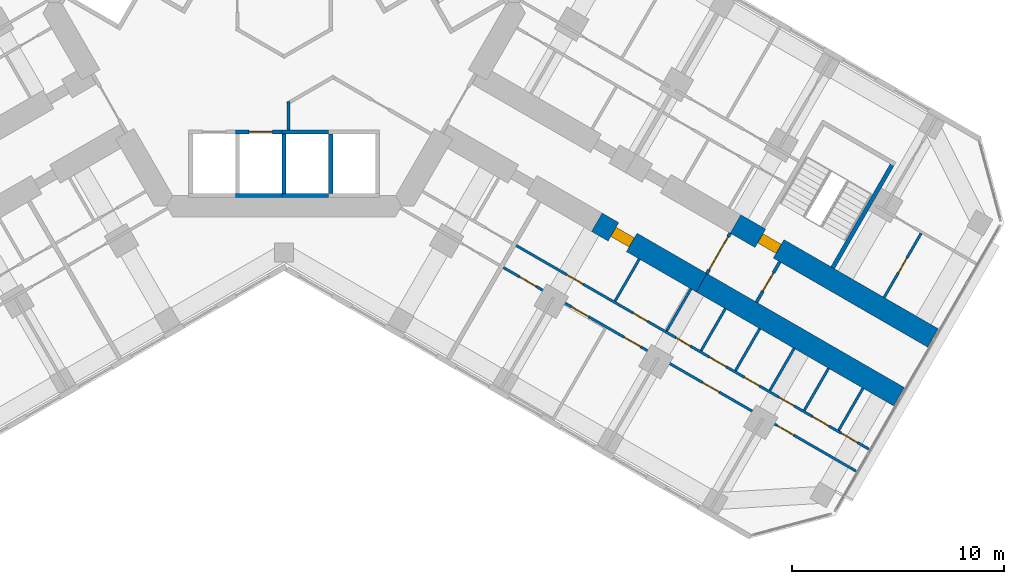
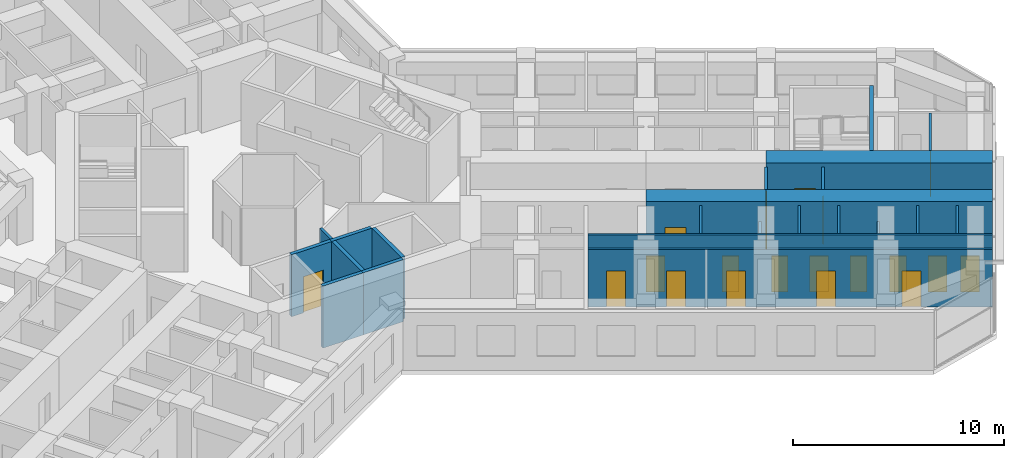
# One storey, part 14 of 21: 23 walls, 19 doors, 19 openings.
"""IFC4 building model written with IfcOpenShell, lengths in metres."""

from ifc_helpers import new_model, si_unit, direction, frame, frame_2d, origin, place, context, subcontext, project, spatial, rectangle, extrude, material, layer, layer_set, type_object, element, fill, save


model = new_model("IFC4")

# Units and contexts
model_context = context("Model", 3, precision=1e-05, world=origin(), true_north=direction((0.0, 1.0)))
body_context = subcontext(model_context, "Body", "Model", "MODEL_VIEW")
ifc_project = project(units=[si_unit("LENGTHUNIT", "METRE"), si_unit("AREAUNIT", "SQUARE_METRE"), si_unit("VOLUMEUNIT", "CUBIC_METRE"), si_unit("PLANEANGLEUNIT", "RADIAN"), si_unit("MASSUNIT", "GRAM", prefix="KILO")], contexts=[model_context])

# Site, building, storey
site_placement = place(None, origin())
site = spatial("IfcSite", under=ifc_project, at=site_placement, CompositionType="ELEMENT")
building_placement = place(site_placement, origin())
building = spatial("IfcBuilding", under=site, at=building_placement, Name="Kosmar Iwan School Tower", CompositionType="ELEMENT")
storey_placement = place(building_placement, frame((0.0, 0.0, 88.0)))
storey = spatial("IfcBuildingStorey", under=building, at=storey_placement, Name="L21", CompositionType="ELEMENT", Elevation=88.0)

# Wall
ifc_material_1 = material(Name="Gypsum board on steel studs, fire-rated", Category="steel")
ifc_layer_1 = layer(ifc_material_1, 0.14990234375)
ifc_layer_set_1 = layer_set([ifc_layer_1], Name="Core room partition 150")
wall_type_1 = type_object("IfcWallType", Name="Core room partition 150", PredefinedType="PARTITIONING", material=ifc_layer_set_1)
wall_1_placement = place(storey_placement, frame((0.199951171875, -6.0048828125, 0.0), z_axis=(0.0, 0.0, 1.0), x_axis=(0.0, 1.0, 0.0)))
element("IfcWall", 1, at=wall_1_placement, inside=storey, type_object=wall_type_1, Name="Core room partition L21-CW12", PredefinedType="PARTITIONING", context=body_context, shape_type="SweptSolid", body=[
    extrude(rectangle(XDim=1.345703125, YDim=0.14990234375, at=frame_2d((0.6728515625, 0.0))), origin(), (0.0, 0.0, 1.0), 3.35009765625),
])

# Wall, opening, door
ifc_material_2 = material(Name="Concrete C50/60", Category="concrete")
ifc_layer_2 = layer(ifc_material_2, 1.0)
ifc_layer_set_2 = layer_set([ifc_layer_2], Name="Corridor buttress wall 1000")
wall_type_2 = type_object("IfcWallType", Name="Corridor buttress wall 1000", PredefinedType="SHEAR", material=ifc_layer_set_2)
wall_2_placement = place(storey_placement, frame((21.281494140625, -10.439453125, 0.0), z_axis=(0.0, 0.0, 1.0), x_axis=(0.866032345022, -0.499987977232, 0.0)))
wall_2 = element("IfcWall", 2, at=wall_2_placement, inside=storey, type_object=wall_type_2, Name="Corridor wall CL bay 3", PredefinedType="SHEAR", context=body_context, shape_type="SweptSolid", body=[
    extrude(rectangle(XDim=10.744873046875, YDim=1.0, at=frame_2d((5.37255859375, 0.0))), origin(), (0.0, 0.0, 1.0), 3.60009765625),
])
opening_1_placement = place(wall_2_placement, frame((1.35009765625, 0.0, 0.0)))
opening_1 = element("IfcOpeningElement", 3, at=opening_1_placement, cuts=wall_2, Name="Opening D6", PredefinedType="OPENING", context=body_context, shape_type="SweptSolid", body=[
    extrude(rectangle(XDim=1.0, YDim=2.10009765625, at=frame_2d((0.5, 1.050048828125))), frame((0.0, 0.511962890625, 0.0), z_axis=(0.0, -1.0, 0.0), x_axis=(1.0, 0.0, 0.0)), (0.0, 0.0, 1.0), 1.02392578125),
])
ifc_material_3 = material(Name="Steel fire door", Category="steel")
door_type_1 = type_object("IfcDoorType", Name="Stair door 1000x2100", OperationType="SINGLE_SWING_LEFT", PredefinedType="DOOR", material=ifc_material_3)
door_1_placement = place(opening_1_placement, origin())
door_1 = element("IfcDoor", 4, at=door_1_placement, inside=storey, type_object=door_type_1, Name="Stair WS3 door L21", OperationType="SINGLE_SWING_LEFT", OverallHeight=2.10009765625, OverallWidth=1.0, PredefinedType="DOOR", context=body_context, shape_type="SweptSolid", body=[
    extrude(rectangle(XDim=1.0, YDim=2.10009765625, at=frame_2d((0.5, 1.050048828125))), frame((0.0, 0.25, 0.0), z_axis=(0.0, -1.0, 0.0), x_axis=(1.0, 0.0, 0.0)), (0.0, 0.0, 1.0), 0.5),
])
fill(opening_1, door_1)

wall_3_placement = place(storey_placement, frame((14.7451171875, -10.360595703125, 0.0), z_axis=(0.0, 0.0, 1.0), x_axis=(0.866015111908, -0.50001782563, 0.0)))
wall_3 = element("IfcWall", 5, at=wall_3_placement, inside=storey, type_object=wall_type_2, Name="Corridor wall CR bay 2", PredefinedType="SHEAR", context=body_context, shape_type="SweptSolid", body=[
    extrude(rectangle(XDim=5.699951171875, YDim=1.0, at=frame_2d((2.85009765625, 0.0))), origin(), (0.0, 0.0, 1.0), 3.60009765625),
])
opening_2_placement = place(wall_3_placement, frame((0.89990234375, 0.0, 0.0)))
opening_2 = element("IfcOpeningElement", 6, at=opening_2_placement, cuts=wall_3, Name="Opening D1", PredefinedType="OPENING", context=body_context, shape_type="SweptSolid", body=[
    extrude(rectangle(XDim=1.0, YDim=2.10009765625, at=frame_2d((0.5, 1.050048828125))), frame((0.0, 0.511962890625, 0.0), z_axis=(0.0, -1.0, 0.0), x_axis=(1.0, 0.0, 0.0)), (0.0, 0.0, 1.0), 1.02392578125),
])
ifc_material_4 = material(Name="Timber fire door in steel frame", Category="steel")
door_type_2 = type_object("IfcDoorType", Name="Flat entrance door 1000x2100", OperationType="SINGLE_SWING_LEFT", PredefinedType="DOOR", material=ifc_material_4)
door_2_placement = place(opening_2_placement, origin())
door_2 = element("IfcDoor", 7, at=door_2_placement, inside=storey, type_object=door_type_2, Name="Flat L21-CR2 entrance door", OperationType="SINGLE_SWING_LEFT", OverallHeight=2.10009765625, OverallWidth=1.0, PredefinedType="DOOR", context=body_context, shape_type="SweptSolid", body=[
    extrude(rectangle(XDim=1.0, YDim=2.10009765625, at=frame_2d((0.5, 1.050048828125))), frame((0.0, 0.25, 0.0), z_axis=(0.0, -1.0, 0.0), x_axis=(1.0, 0.0, 0.0)), (0.0, 0.0, 1.0), 0.5),
])
fill(opening_2, door_2)

# Wall
wall_4_placement = place(storey_placement, frame((19.681396484375, -13.210693359375, 0.0), z_axis=(0.0, 0.0, 1.0), x_axis=(0.866028186671, -0.499995179869, 0.0)))
element("IfcWall", 8, at=wall_4_placement, inside=storey, type_object=wall_type_2, Name="Corridor wall CR bay 3", PredefinedType="SHEAR", context=body_context, shape_type="SweptSolid", body=[
    extrude(rectangle(XDim=10.7451171875, YDim=1.0, at=frame_2d((5.37255859375, 0.0))), origin(), (0.0, 0.0, 1.0), 3.60009765625),
])

# Wall, opening, door
ifc_material_5 = material(Name="Gypsum board on steel studs, fire-rated", Category="steel")
ifc_layer_3 = layer(ifc_material_5, 0.14990234375)
ifc_layer_set_3 = layer_set([ifc_layer_3], Name="Corridor end wall 150")
wall_type_3 = type_object("IfcWallType", Name="Corridor end wall 150", PredefinedType="PARTITIONING", material=ifc_layer_set_3)
wall_5_placement = place(storey_placement, frame((22.269775390625, -14.127685546875, 0.0), z_axis=(0.0, 0.0, 1.0), x_axis=(0.50002983664, 0.866008176907, 0.0)))
wall_5 = element("IfcWall", 9, at=wall_5_placement, inside=storey, type_object=wall_type_3, Name="Partition L21-C-CE", PredefinedType="PARTITIONING", context=body_context, shape_type="SweptSolid", body=[
    extrude(rectangle(XDim=2.199951171875, YDim=0.14990234375, at=frame_2d((1.10009765625, 0.0))), origin(), (0.0, 0.0, 1.0), 3.35009765625),
])
opening_3_placement = place(wall_5_placement, frame((0.60009765625, 0.0, 0.0)))
opening_3 = element("IfcOpeningElement", 10, at=opening_3_placement, cuts=wall_5, Name="Opening D13", PredefinedType="OPENING", context=body_context, shape_type="SweptSolid", body=[
    extrude(rectangle(XDim=1.0, YDim=2.10009765625, at=frame_2d((0.5, 1.050048828125))), frame((0.0, 0.0869140625, 0.0), z_axis=(0.0, -1.0, 0.0), x_axis=(1.0, 0.0, 0.0)), (0.0, 0.0, 1.0), 0.173828125),
])
ifc_material_6 = material(Name="Timber fire door with vision panel", Category="wood")
door_type_3 = type_object("IfcDoorType", Name="Corridor end door 1000x2100", OperationType="SINGLE_SWING_LEFT", PredefinedType="DOOR", material=ifc_material_6)
door_3_placement = place(opening_3_placement, origin())
door_3 = element("IfcDoor", 11, at=door_3_placement, inside=storey, type_object=door_type_3, Name="Hobby workshop door L21-C", OperationType="SINGLE_SWING_LEFT", OverallHeight=2.10009765625, OverallWidth=1.0, PredefinedType="DOOR", context=body_context, shape_type="SweptSolid", body=[
    extrude(rectangle(XDim=1.0, YDim=2.10009765625, at=frame_2d((0.5, 1.050048828125))), frame((0.0, 0.02490234375, 0.0), z_axis=(0.0, -1.0, 0.0), x_axis=(1.0, 0.0, 0.0)), (0.0, 0.0, 1.0), 0.050048828125),
])
fill(opening_3, door_3)

wall_6_placement = place(storey_placement, frame((19.931396484375, -12.777587890625, 0.0), z_axis=(0.0, 0.0, 1.0), x_axis=(0.50002983664, 0.866008176907, 0.0)))
wall_6 = element("IfcWall", 12, at=wall_6_placement, inside=storey, type_object=wall_type_3, Name="Partition L21-C-HW", PredefinedType="PARTITIONING", context=body_context, shape_type="SweptSolid", body=[
    extrude(rectangle(XDim=2.199951171875, YDim=0.14990234375, at=frame_2d((1.10009765625, 0.0))), origin(), (0.0, 0.0, 1.0), 3.35009765625),
])
opening_4_placement = place(wall_6_placement, frame((0.199951171875, 0.0, 0.0)))
opening_4 = element("IfcOpeningElement", 13, at=opening_4_placement, cuts=wall_6, Name="Opening D9", PredefinedType="OPENING", context=body_context, shape_type="SweptSolid", body=[
    extrude(rectangle(XDim=1.800048828125, YDim=2.10009765625, at=frame_2d((0.89990234375, 1.050048828125))), frame((0.0, 0.0869140625, 0.0), z_axis=(0.0, -1.0, 0.0), x_axis=(1.0, 0.0, 0.0)), (0.0, 0.0, 1.0), 0.173828125),
])
ifc_material_7 = material(Name="Steel framed glazed smoke door", Category="steel")
door_type_4 = type_object("IfcDoorType", Name="Corridor smoke door pair 1800x2100", OperationType="DOUBLE_DOOR_DOUBLE_SWING", PredefinedType="DOOR", material=ifc_material_7)
door_4_placement = place(opening_4_placement, origin())
door_4 = element("IfcDoor", 14, at=door_4_placement, inside=storey, type_object=door_type_4, Name="Entrance vestibule smoke doors L21-C", OperationType="DOUBLE_DOOR_DOUBLE_SWING", OverallHeight=2.10009765625, OverallWidth=1.800048828125, PredefinedType="DOOR", context=body_context, shape_type="SweptSolid", body=[
    extrude(rectangle(XDim=1.800048828125, YDim=2.10009765625, at=frame_2d((0.89990234375, 1.050048828125))), frame((0.0, 0.02490234375, 0.0), z_axis=(0.0, -1.0, 0.0), x_axis=(1.0, 0.0, 0.0)), (0.0, 0.0, 1.0), 0.050048828125),
])
fill(opening_4, door_4)

ifc_material_8 = material(Name="Gypsum board on steel studs", Category="steel")
ifc_layer_4 = layer(ifc_material_8, 0.1201171875)
ifc_layer_set_4 = layer_set([ifc_layer_4], Name="Dwelling partition 120")
wall_type_4 = type_object("IfcWallType", Name="Dwelling partition 120", PredefinedType="PARTITIONING", material=ifc_layer_set_4)
wall_7_placement = place(storey_placement, frame((28.286376953125, -13.90625, 0.0), z_axis=(0.0, 0.0, 1.0), x_axis=(0.50002117804, 0.866013176292, 0.0)))
wall_7 = element("IfcWall", 15, at=wall_7_placement, inside=storey, type_object=wall_type_4, Name="Partition L21-CL2-TY", PredefinedType="PARTITIONING", context=body_context, shape_type="SweptSolid", body=[
    extrude(rectangle(XDim=3.489990234375, YDim=0.1201171875, at=frame_2d((1.7451171875, 0.0))), origin(), (0.0, 0.0, 1.0), 3.35009765625),
])
opening_5_placement = place(wall_7_placement, frame((1.344970703125, 0.0, 0.0)))
opening_5 = element("IfcOpeningElement", 16, at=opening_5_placement, cuts=wall_7, Name="Opening D3", PredefinedType="OPENING", context=body_context, shape_type="SweptSolid", body=[
    extrude(rectangle(XDim=0.800048828125, YDim=2.10009765625, at=frame_2d((0.39990234375, 1.050048828125))), frame((0.0, 0.072021484375, 0.0), z_axis=(0.0, -1.0, 0.0), x_axis=(1.0, 0.0, 0.0)), (0.0, 0.0, 1.0), 0.14404296875),
])
ifc_material_9 = material(Name="Timber door in timber frame", Category="wood")
door_type_5 = type_object("IfcDoorType", Name="Sanitary room door 800x2100", OperationType="SINGLE_SWING_LEFT", PredefinedType="DOOR", material=ifc_material_9)
door_5_placement = place(opening_5_placement, origin())
door_5 = element("IfcDoor", 17, at=door_5_placement, inside=storey, type_object=door_type_5, Name="Shower room door L21-CL2-T4", OperationType="SINGLE_SWING_RIGHT", OverallHeight=2.10009765625, OverallWidth=0.800048828125, PredefinedType="DOOR", context=body_context, shape_type="SweptSolid", body=[
    extrude(rectangle(XDim=0.800048828125, YDim=2.10009765625, at=frame_2d((0.39990234375, 1.050048828125))), frame((0.0, 0.02490234375, 0.0), z_axis=(0.0, -1.0, 0.0), x_axis=(1.0, 0.0, 0.0)), (0.0, 0.0, 1.0), 0.050048828125),
])
fill(opening_5, door_5)

# Wall, openings, doors
wall_8_placement = place(storey_placement, frame((10.9384765625, -11.453857421875, 0.0), z_axis=(0.0, 0.0, 1.0), x_axis=(0.866029698618, -0.499992561057, 0.0)))
wall_8 = element("IfcWall", 18, at=wall_8_placement, inside=storey, type_object=wall_type_4, Name="Partition L21-CR2-W1", PredefinedType="PARTITIONING", context=body_context, shape_type="SweptSolid", body=[
    extrude(rectangle(XDim=19.195068359375, YDim=0.1201171875, at=frame_2d((9.59765625, 0.0))), origin(), (0.0, 0.0, 1.0), 3.35009765625),
])
opening_6_placement = place(wall_8_placement, frame((2.75, 0.0, 0.0)))
opening_6 = element("IfcOpeningElement", 19, at=opening_6_placement, cuts=wall_8, Name="Opening D2", PredefinedType="OPENING", context=body_context, shape_type="SweptSolid", body=[
    extrude(rectangle(XDim=0.89990234375, YDim=2.10009765625, at=frame_2d((0.449951171875, 1.050048828125))), frame((0.0, 0.072021484375, 0.0), z_axis=(0.0, -1.0, 0.0), x_axis=(1.0, 0.0, 0.0)), (0.0, 0.0, 1.0), 0.14404296875),
])
opening_7_placement = place(wall_8_placement, frame((6.35498046875, 0.0, 0.0)))
opening_7 = element("IfcOpeningElement", 20, at=opening_7_placement, cuts=wall_8, Name="Opening D3", PredefinedType="OPENING", context=body_context, shape_type="SweptSolid", body=[
    extrude(rectangle(XDim=0.800048828125, YDim=2.10009765625, at=frame_2d((0.39990234375, 1.050048828125))), frame((0.0, 0.072021484375, 0.0), z_axis=(0.0, -1.0, 0.0), x_axis=(1.0, 0.0, 0.0)), (0.0, 0.0, 1.0), 0.14404296875),
])
opening_8_placement = place(wall_8_placement, frame((8.69677734375, 0.0, 0.0)))
opening_8 = element("IfcOpeningElement", 21, at=opening_8_placement, cuts=wall_8, Name="Opening D3", PredefinedType="OPENING", context=body_context, shape_type="SweptSolid", body=[
    extrude(rectangle(XDim=0.800048828125, YDim=2.10009765625, at=frame_2d((0.39990234375, 1.050048828125))), frame((0.0, 0.072021484375, 0.0), z_axis=(0.0, -1.0, 0.0), x_axis=(1.0, 0.0, 0.0)), (0.0, 0.0, 1.0), 0.14404296875),
])
opening_9_placement = place(wall_8_placement, frame((10.52001953125, 0.0, 0.0)))
opening_9 = element("IfcOpeningElement", 22, at=opening_9_placement, cuts=wall_8, Name="Opening D2", PredefinedType="OPENING", context=body_context, shape_type="SweptSolid", body=[
    extrude(rectangle(XDim=0.89990234375, YDim=2.10009765625, at=frame_2d((0.449951171875, 1.050048828125))), frame((0.0, 0.072021484375, 0.0), z_axis=(0.0, -1.0, 0.0), x_axis=(1.0, 0.0, 0.0)), (0.0, 0.0, 1.0), 0.14404296875),
])
opening_10_placement = place(wall_8_placement, frame((12.443359375, 0.0, 0.0)))
opening_10 = element("IfcOpeningElement", 23, at=opening_10_placement, cuts=wall_8, Name="Opening D3", PredefinedType="OPENING", context=body_context, shape_type="SweptSolid", body=[
    extrude(rectangle(XDim=0.800048828125, YDim=2.10009765625, at=frame_2d((0.39990234375, 1.050048828125))), frame((0.0, 0.072021484375, 0.0), z_axis=(0.0, -1.0, 0.0), x_axis=(1.0, 0.0, 0.0)), (0.0, 0.0, 1.0), 0.14404296875),
])
opening_11_placement = place(wall_8_placement, frame((14.316650390625, 0.0, 0.0)))
opening_11 = element("IfcOpeningElement", 24, at=opening_11_placement, cuts=wall_8, Name="Opening D3", PredefinedType="OPENING", context=body_context, shape_type="SweptSolid", body=[
    extrude(rectangle(XDim=0.800048828125, YDim=2.10009765625, at=frame_2d((0.39990234375, 1.050048828125))), frame((0.0, 0.072021484375, 0.0), z_axis=(0.0, -1.0, 0.0), x_axis=(1.0, 0.0, 0.0)), (0.0, 0.0, 1.0), 0.14404296875),
])
opening_12_placement = place(wall_8_placement, frame((16.139892578125, 0.0, 0.0)))
opening_12 = element("IfcOpeningElement", 25, at=opening_12_placement, cuts=wall_8, Name="Opening D2", PredefinedType="OPENING", context=body_context, shape_type="SweptSolid", body=[
    extrude(rectangle(XDim=0.89990234375, YDim=2.10009765625, at=frame_2d((0.449951171875, 1.050048828125))), frame((0.0, 0.072021484375, 0.0), z_axis=(0.0, -1.0, 0.0), x_axis=(1.0, 0.0, 0.0)), (0.0, 0.0, 1.0), 0.14404296875),
])
opening_13_placement = place(wall_8_placement, frame((17.686767578125, 0.0, 0.0)))
opening_13 = element("IfcOpeningElement", 26, at=opening_13_placement, cuts=wall_8, Name="Opening D2", PredefinedType="OPENING", context=body_context, shape_type="SweptSolid", body=[
    extrude(rectangle(XDim=0.89990234375, YDim=2.10009765625, at=frame_2d((0.449951171875, 1.050048828125))), frame((0.0, 0.072021484375, 0.0), z_axis=(0.0, -1.0, 0.0), x_axis=(1.0, 0.0, 0.0)), (0.0, 0.0, 1.0), 0.14404296875),
])
ifc_material_10 = material(Name="Timber door in timber frame", Category="wood")
door_type_6 = type_object("IfcDoorType", Name="Internal door 900x2100", OperationType="SINGLE_SWING_LEFT", PredefinedType="DOOR", material=ifc_material_10)
door_6_placement = place(opening_6_placement, origin())
door_6 = element("IfcDoor", 27, at=door_6_placement, inside=storey, type_object=door_type_6, Name="Entrance hall door L21-CR2-S1", OperationType="SINGLE_SWING_RIGHT", OverallHeight=2.10009765625, OverallWidth=0.89990234375, PredefinedType="DOOR", context=body_context, shape_type="SweptSolid", body=[
    extrude(rectangle(XDim=0.89990234375, YDim=2.10009765625, at=frame_2d((0.449951171875, 1.050048828125))), frame((0.0, 0.02490234375, 0.0), z_axis=(0.0, -1.0, 0.0), x_axis=(1.0, 0.0, 0.0)), (0.0, 0.0, 1.0), 0.050048828125),
])
fill(opening_6, door_6)
door_7_placement = place(opening_9_placement, origin())
door_7 = element("IfcDoor", 28, at=door_7_placement, inside=storey, type_object=door_type_6, Name="Pantry door L21-CR2-S4", OperationType="SINGLE_SWING_RIGHT", OverallHeight=2.10009765625, OverallWidth=0.89990234375, PredefinedType="DOOR", context=body_context, shape_type="SweptSolid", body=[
    extrude(rectangle(XDim=0.89990234375, YDim=2.10009765625, at=frame_2d((0.449951171875, 1.050048828125))), frame((0.0, 0.02490234375, 0.0), z_axis=(0.0, -1.0, 0.0), x_axis=(1.0, 0.0, 0.0)), (0.0, 0.0, 1.0), 0.050048828125),
])
fill(opening_9, door_7)
door_8_placement = place(opening_12_placement, origin())
door_8 = element("IfcDoor", 29, at=door_8_placement, inside=storey, type_object=door_type_6, Name="Utility room door L21-CR2-S7", OperationType="SINGLE_SWING_LEFT", OverallHeight=2.10009765625, OverallWidth=0.89990234375, PredefinedType="DOOR", context=body_context, shape_type="SweptSolid", body=[
    extrude(rectangle(XDim=0.89990234375, YDim=2.10009765625, at=frame_2d((0.449951171875, 1.050048828125))), frame((0.0, 0.02490234375, 0.0), z_axis=(0.0, -1.0, 0.0), x_axis=(1.0, 0.0, 0.0)), (0.0, 0.0, 1.0), 0.050048828125),
])
fill(opening_12, door_8)
door_9_placement = place(opening_13_placement, origin())
door_9 = element("IfcDoor", 30, at=door_9_placement, inside=storey, type_object=door_type_6, Name="Dressing room door L21-CR2-S8", OperationType="SINGLE_SWING_LEFT", OverallHeight=2.10009765625, OverallWidth=0.89990234375, PredefinedType="DOOR", context=body_context, shape_type="SweptSolid", body=[
    extrude(rectangle(XDim=0.89990234375, YDim=2.10009765625, at=frame_2d((0.449951171875, 1.050048828125))), frame((0.0, 0.02490234375, 0.0), z_axis=(0.0, -1.0, 0.0), x_axis=(1.0, 0.0, 0.0)), (0.0, 0.0, 1.0), 0.050048828125),
])
fill(opening_13, door_9)
door_10_placement = place(opening_7_placement, origin())
door_10 = element("IfcDoor", 31, at=door_10_placement, inside=storey, type_object=door_type_5, Name="Bathroom door L21-CR2-S2", OperationType="SINGLE_SWING_RIGHT", OverallHeight=2.10009765625, OverallWidth=0.800048828125, PredefinedType="DOOR", context=body_context, shape_type="SweptSolid", body=[
    extrude(rectangle(XDim=0.800048828125, YDim=2.10009765625, at=frame_2d((0.39990234375, 1.050048828125))), frame((0.0, 0.02490234375, 0.0), z_axis=(0.0, -1.0, 0.0), x_axis=(1.0, 0.0, 0.0)), (0.0, 0.0, 1.0), 0.050048828125),
])
fill(opening_7, door_10)
door_11_placement = place(opening_8_placement, origin())
door_11 = element("IfcDoor", 32, at=door_11_placement, inside=storey, type_object=door_type_5, Name="Shower room door L21-CR2-S3", OperationType="SINGLE_SWING_LEFT", OverallHeight=2.10009765625, OverallWidth=0.800048828125, PredefinedType="DOOR", context=body_context, shape_type="SweptSolid", body=[
    extrude(rectangle(XDim=0.800048828125, YDim=2.10009765625, at=frame_2d((0.39990234375, 1.050048828125))), frame((0.0, 0.02490234375, 0.0), z_axis=(0.0, -1.0, 0.0), x_axis=(1.0, 0.0, 0.0)), (0.0, 0.0, 1.0), 0.050048828125),
])
fill(opening_8, door_11)
door_12_placement = place(opening_10_placement, origin())
door_12 = element("IfcDoor", 33, at=door_12_placement, inside=storey, type_object=door_type_5, Name="WC door L21-CR2-S5", OperationType="SINGLE_SWING_LEFT", OverallHeight=2.10009765625, OverallWidth=0.800048828125, PredefinedType="DOOR", context=body_context, shape_type="SweptSolid", body=[
    extrude(rectangle(XDim=0.800048828125, YDim=2.10009765625, at=frame_2d((0.39990234375, 1.050048828125))), frame((0.0, 0.02490234375, 0.0), z_axis=(0.0, -1.0, 0.0), x_axis=(1.0, 0.0, 0.0)), (0.0, 0.0, 1.0), 0.050048828125),
])
fill(opening_10, door_12)
door_13_placement = place(opening_11_placement, origin())
door_13 = element("IfcDoor", 34, at=door_13_placement, inside=storey, type_object=door_type_5, Name="Store door L21-CR2-S6", OperationType="SINGLE_SWING_RIGHT", OverallHeight=2.10009765625, OverallWidth=0.800048828125, PredefinedType="DOOR", context=body_context, shape_type="SweptSolid", body=[
    extrude(rectangle(XDim=0.800048828125, YDim=2.10009765625, at=frame_2d((0.39990234375, 1.050048828125))), frame((0.0, 0.02490234375, 0.0), z_axis=(0.0, -1.0, 0.0), x_axis=(1.0, 0.0, 0.0)), (0.0, 0.0, 1.0), 0.050048828125),
])
fill(opening_11, door_13)

wall_9_placement = place(storey_placement, frame((10.338623046875, -12.492919921875, 0.0), z_axis=(0.0, 0.0, 1.0), x_axis=(0.866021011428, -0.500007607708, 0.0)))
wall_9 = element("IfcWall", 35, at=wall_9_placement, inside=storey, type_object=wall_type_4, Name="Partition L21-CR2-W2", PredefinedType="PARTITIONING", context=body_context, shape_type="SweptSolid", body=[
    extrude(rectangle(XDim=19.195068359375, YDim=0.1201171875, at=frame_2d((9.59765625, 0.0))), origin(), (0.0, 0.0, 1.0), 3.35009765625),
])
opening_14_placement = place(wall_9_placement, frame((0.875, 0.0, 0.0)))
opening_14 = element("IfcOpeningElement", 36, at=opening_14_placement, cuts=wall_9, Name="Opening D2", PredefinedType="OPENING", context=body_context, shape_type="SweptSolid", body=[
    extrude(rectangle(XDim=0.89990234375, YDim=2.10009765625, at=frame_2d((0.449951171875, 1.050048828125))), frame((0.0, 0.072021484375, 0.0), z_axis=(0.0, -1.0, 0.0), x_axis=(1.0, 0.0, 0.0)), (0.0, 0.0, 1.0), 0.14404296875),
])
opening_15_placement = place(wall_9_placement, frame((3.72509765625, 0.0, 0.0)))
opening_15 = element("IfcOpeningElement", 37, at=opening_15_placement, cuts=wall_9, Name="Opening D2", PredefinedType="OPENING", context=body_context, shape_type="SweptSolid", body=[
    extrude(rectangle(XDim=0.89990234375, YDim=2.10009765625, at=frame_2d((0.449951171875, 1.050048828125))), frame((0.0, 0.072021484375, 0.0), z_axis=(0.0, -1.0, 0.0), x_axis=(1.0, 0.0, 0.0)), (0.0, 0.0, 1.0), 0.14404296875),
])
opening_16_placement = place(wall_9_placement, frame((6.574951171875, 0.0, 0.0)))
opening_16 = element("IfcOpeningElement", 38, at=opening_16_placement, cuts=wall_9, Name="Opening D2", PredefinedType="OPENING", context=body_context, shape_type="SweptSolid", body=[
    extrude(rectangle(XDim=0.89990234375, YDim=2.10009765625, at=frame_2d((0.449951171875, 1.050048828125))), frame((0.0, 0.072021484375, 0.0), z_axis=(0.0, -1.0, 0.0), x_axis=(1.0, 0.0, 0.0)), (0.0, 0.0, 1.0), 0.14404296875),
])
opening_17_placement = place(wall_9_placement, frame((10.85009765625, 0.0, 0.0)))
opening_17 = element("IfcOpeningElement", 39, at=opening_17_placement, cuts=wall_9, Name="Opening D2", PredefinedType="OPENING", context=body_context, shape_type="SweptSolid", body=[
    extrude(rectangle(XDim=0.89990234375, YDim=2.10009765625, at=frame_2d((0.449951171875, 1.050048828125))), frame((0.0, 0.072021484375, 0.0), z_axis=(0.0, -1.0, 0.0), x_axis=(1.0, 0.0, 0.0)), (0.0, 0.0, 1.0), 0.14404296875),
])
opening_18_placement = place(wall_9_placement, frame((14.89990234375, 0.0, 0.0)))
opening_18 = element("IfcOpeningElement", 40, at=opening_18_placement, cuts=wall_9, Name="Opening D2", PredefinedType="OPENING", context=body_context, shape_type="SweptSolid", body=[
    extrude(rectangle(XDim=0.89990234375, YDim=2.10009765625, at=frame_2d((0.449951171875, 1.050048828125))), frame((0.0, 0.072021484375, 0.0), z_axis=(0.0, -1.0, 0.0), x_axis=(1.0, 0.0, 0.0)), (0.0, 0.0, 1.0), 0.14404296875),
])
door_14_placement = place(opening_14_placement, origin())
door_14 = element("IfcDoor", 41, at=door_14_placement, inside=storey, type_object=door_type_6, Name="Bedroom 1 door L21-CR2-F1", OperationType="SINGLE_SWING_LEFT", OverallHeight=2.10009765625, OverallWidth=0.89990234375, PredefinedType="DOOR", context=body_context, shape_type="SweptSolid", body=[
    extrude(rectangle(XDim=0.89990234375, YDim=2.10009765625, at=frame_2d((0.449951171875, 1.050048828125))), frame((0.0, 0.02490234375, 0.0), z_axis=(0.0, -1.0, 0.0), x_axis=(1.0, 0.0, 0.0)), (0.0, 0.0, 1.0), 0.050048828125),
])
fill(opening_14, door_14)
door_15_placement = place(opening_15_placement, origin())
door_15 = element("IfcDoor", 42, at=door_15_placement, inside=storey, type_object=door_type_6, Name="Winter garden door L21-CR2-F2", OperationType="SINGLE_SWING_LEFT", OverallHeight=2.10009765625, OverallWidth=0.89990234375, PredefinedType="DOOR", context=body_context, shape_type="SweptSolid", body=[
    extrude(rectangle(XDim=0.89990234375, YDim=2.10009765625, at=frame_2d((0.449951171875, 1.050048828125))), frame((0.0, 0.02490234375, 0.0), z_axis=(0.0, -1.0, 0.0), x_axis=(1.0, 0.0, 0.0)), (0.0, 0.0, 1.0), 0.050048828125),
])
fill(opening_15, door_15)
door_16_placement = place(opening_16_placement, origin())
door_16 = element("IfcDoor", 43, at=door_16_placement, inside=storey, type_object=door_type_6, Name="Bedroom 2 door L21-CR2-F3", OperationType="SINGLE_SWING_LEFT", OverallHeight=2.10009765625, OverallWidth=0.89990234375, PredefinedType="DOOR", context=body_context, shape_type="SweptSolid", body=[
    extrude(rectangle(XDim=0.89990234375, YDim=2.10009765625, at=frame_2d((0.449951171875, 1.050048828125))), frame((0.0, 0.02490234375, 0.0), z_axis=(0.0, -1.0, 0.0), x_axis=(1.0, 0.0, 0.0)), (0.0, 0.0, 1.0), 0.050048828125),
])
fill(opening_16, door_16)
door_17_placement = place(opening_17_placement, origin())
door_17 = element("IfcDoor", 44, at=door_17_placement, inside=storey, type_object=door_type_6, Name="Living room and kitchen door L21-CR2-F4", OperationType="SINGLE_SWING_RIGHT", OverallHeight=2.10009765625, OverallWidth=0.89990234375, PredefinedType="DOOR", context=body_context, shape_type="SweptSolid", body=[
    extrude(rectangle(XDim=0.89990234375, YDim=2.10009765625, at=frame_2d((0.449951171875, 1.050048828125))), frame((0.0, 0.02490234375, 0.0), z_axis=(0.0, -1.0, 0.0), x_axis=(1.0, 0.0, 0.0)), (0.0, 0.0, 1.0), 0.050048828125),
])
fill(opening_17, door_17)
door_18_placement = place(opening_18_placement, origin())
door_18 = element("IfcDoor", 45, at=door_18_placement, inside=storey, type_object=door_type_6, Name="Bedroom 3 door L21-CR2-F5", OperationType="SINGLE_SWING_RIGHT", OverallHeight=2.10009765625, OverallWidth=0.89990234375, PredefinedType="DOOR", context=body_context, shape_type="SweptSolid", body=[
    extrude(rectangle(XDim=0.89990234375, YDim=2.10009765625, at=frame_2d((0.449951171875, 1.050048828125))), frame((0.0, 0.02490234375, 0.0), z_axis=(0.0, -1.0, 0.0), x_axis=(1.0, 0.0, 0.0)), (0.0, 0.0, 1.0), 0.050048828125),
])
fill(opening_18, door_18)

# Walls
wall_10_placement = place(storey_placement, frame((16.746826171875, -12.09375, 0.0), z_axis=(0.0, 0.0, 1.0), x_axis=(-0.500014693593, -0.866016920268, 0.0)))
element("IfcWall", 46, at=wall_10_placement, inside=storey, type_object=wall_type_4, Name="Partition L21-CR2-Y1", PredefinedType="PARTITIONING", context=body_context, shape_type="SweptSolid", body=[
    extrude(rectangle(XDim=2.2900390625, YDim=0.1201171875, at=frame_2d((1.14501953125, 0.0))), origin(), (0.0, 0.0, 1.0), 3.35009765625),
])
wall_11_placement = place(storey_placement, frame((19.180419921875, -13.49853515625, 0.0), z_axis=(0.0, 0.0, 1.0), x_axis=(-0.499968531483, -0.866043571379, 0.0)))
element("IfcWall", 47, at=wall_11_placement, inside=storey, type_object=wall_type_4, Name="Partition L21-CR2-Y2", PredefinedType="PARTITIONING", context=body_context, shape_type="SweptSolid", body=[
    extrude(rectangle(XDim=2.290283203125, YDim=0.1201171875, at=frame_2d((1.14501953125, 0.0))), origin(), (0.0, 0.0, 1.0), 2.449951171875),
])
for number, where, z_axis, x_axis, name in (
    (48, (20.802734375, -14.435302734375, 0.0), (0.0, 0.0, 1.0), (-0.500014693593, -0.866016920268, 0.0), "Partition L21-CR2-Y3"),
    (49, (22.425048828125, -15.3720703125, 0.0), (0.0, 0.0, 1.0), (-0.500014693593, -0.866016920268, 0.0), "Partition L21-CR2-Y4"),
):
    element("IfcWall", number, at=place(storey_placement, frame(where, z_axis=z_axis, x_axis=x_axis)), inside=storey, type_object=wall_type_4, Name=name, PredefinedType="PARTITIONING", context=body_context, shape_type="SweptSolid", body=[
        extrude(rectangle(XDim=2.2900390625, YDim=0.1201171875, at=frame_2d((1.14501953125, 0.0))), origin(), (0.0, 0.0, 1.0), 3.35009765625),
    ])
wall_12_placement = place(storey_placement, frame((24.04736328125, -16.30859375, 0.0), z_axis=(0.0, 0.0, 1.0), x_axis=(-0.500014693593, -0.866016920268, 0.0)))
element("IfcWall", 50, at=wall_12_placement, inside=storey, type_object=wall_type_4, Name="Partition L21-CR2-Y5", PredefinedType="PARTITIONING", context=body_context, shape_type="SweptSolid", body=[
    extrude(rectangle(XDim=2.2900390625, YDim=0.1201171875, at=frame_2d((1.14501953125, 0.0))), origin(), (0.0, 0.0, 1.0), 2.449951171875),
])
wall_13_placement = place(storey_placement, frame((25.669677734375, -17.245361328125, 0.0), z_axis=(0.0, 0.0, 1.0), x_axis=(-0.500014693593, -0.866016920268, 0.0)))
element("IfcWall", 51, at=wall_13_placement, inside=storey, type_object=wall_type_4, Name="Partition L21-CR2-Y6", PredefinedType="PARTITIONING", context=body_context, shape_type="SweptSolid", body=[
    extrude(rectangle(XDim=2.2900390625, YDim=0.1201171875, at=frame_2d((1.14501953125, 0.0))), origin(), (0.0, 0.0, 1.0), 3.35009765625),
])
wall_14_placement = place(storey_placement, frame((27.292236328125, -18.181884765625, 0.0), z_axis=(0.0, 0.0, 1.0), x_axis=(-0.499968531483, -0.866043571379, 0.0)))
element("IfcWall", 52, at=wall_14_placement, inside=storey, type_object=wall_type_4, Name="Partition L21-CR2-Y7", PredefinedType="PARTITIONING", context=body_context, shape_type="SweptSolid", body=[
    extrude(rectangle(XDim=2.290283203125, YDim=0.1201171875, at=frame_2d((1.14501953125, 0.0))), origin(), (0.0, 0.0, 1.0), 3.35009765625),
])
ifc_material_11 = material(Name="Concrete C35/45", Category="concrete")
ifc_layer_5 = layer(ifc_material_11, 0.199951171875)
ifc_layer_set_5 = layer_set([ifc_layer_5], Name="Escape stair wall 200")
wall_type_5 = type_object("IfcWallType", Name="Escape stair wall 200", PredefinedType="SHEAR", material=ifc_layer_set_5)
wall_15_placement = place(storey_placement, frame((25.861572265625, -12.50634765625, 0.0), z_axis=(0.0, 0.0, 1.0), x_axis=(0.500018801468, 0.86601454848, 0.0)))
element("IfcWall", 53, at=wall_15_placement, inside=storey, type_object=wall_type_5, Name="Stair WS3 wall", PredefinedType="SHEAR", context=body_context, shape_type="SweptSolid", body=[
    extrude(rectangle(XDim=5.800048828125, YDim=0.199951171875, at=frame_2d((2.89990234375, 0.0))), origin(), (0.0, 0.0, 1.0), 3.330078125),
])

# Wall, opening, door
ifc_material_12 = material(Name="Concrete C50/60", Category="concrete")
ifc_layer_6 = layer(ifc_material_12, 0.199951171875)
ifc_layer_set_6 = layer_set([ifc_layer_6], Name="Lift shaft wall 200")
wall_type_6 = type_object("IfcWallType", Name="Lift shaft wall 200", PredefinedType="SHEAR", material=ifc_layer_set_6)
wall_16_placement = place(storey_placement, frame((-2.300048828125, -6.10009765625, 0.0), z_axis=(0.0, 0.0, 1.0), x_axis=(1.0, 0.0, 0.0)))
wall_16 = element("IfcWall", 54, at=wall_16_placement, inside=storey, type_object=wall_type_6, Name="Lift and stair front wall BC", PredefinedType="SHEAR", context=body_context, shape_type="SweptSolid", body=[
    extrude(rectangle(XDim=2.199951171875, YDim=0.199951171875, at=frame_2d((1.10009765625, 0.0))), origin(), (0.0, 0.0, 1.0), 3.60009765625),
])
opening_19_placement = place(wall_16_placement, frame((0.64990234375, 0.0, 0.0)))
opening_19 = element("IfcOpeningElement", 55, at=opening_19_placement, cuts=wall_16, Name="Opening LD1", PredefinedType="OPENING", context=body_context, shape_type="SweptSolid", body=[
    extrude(rectangle(XDim=1.10009765625, YDim=2.10009765625, at=frame_2d((0.550048828125, 1.050048828125))), frame((0.0, 0.112060546875, 0.0), z_axis=(0.0, -1.0, 0.0), x_axis=(1.0, 0.0, 0.0)), (0.0, 0.0, 1.0), 0.223876953125),
])
ifc_material_13 = material(Name="Stainless steel sliding lift door", Category="steel")
door_type_7 = type_object("IfcDoorType", Name="Lift landing door 1100x2100", OperationType="SLIDING_TO_LEFT", PredefinedType="DOOR", material=ifc_material_13)
door_19_placement = place(opening_19_placement, origin())
door_19 = element("IfcDoor", 56, at=door_19_placement, inside=storey, type_object=door_type_7, Name="Lift PL2 landing door L21", OperationType="SLIDING_TO_LEFT", OverallHeight=2.10009765625, OverallWidth=1.10009765625, PredefinedType="DOOR", context=body_context, shape_type="SweptSolid", body=[
    extrude(rectangle(XDim=1.10009765625, YDim=2.10009765625, at=frame_2d((0.550048828125, 1.050048828125))), frame((0.0, 0.02490234375, 0.0), z_axis=(0.0, -1.0, 0.0), x_axis=(1.0, 0.0, 0.0)), (0.0, 0.0, 1.0), 0.050048828125),
])
fill(opening_19, door_19)

# Walls
wall_17_placement = place(storey_placement, frame((-2.300048828125, -9.10009765625, 0.0), z_axis=(0.0, 0.0, 1.0), x_axis=(1.0, 0.0, 0.0)))
element("IfcWall", 57, at=wall_17_placement, inside=storey, type_object=wall_type_6, Name="Lift and stair back wall BC", PredefinedType="SHEAR", context=body_context, shape_type="SweptSolid", body=[
    extrude(rectangle(XDim=2.199951171875, YDim=0.199951171875, at=frame_2d((1.10009765625, 0.0))), origin(), (0.0, 0.0, 1.0), 3.60009765625),
])
for number, where, z_axis, x_axis, name in (
    (58, (-0.10009765625, -6.10009765625, 0.0), (0.0, 0.0, 1.0), (1.0, 0.0, 0.0), "Lift and stair front wall BC"),
    (59, (-0.10009765625, -9.10009765625, 0.0), (0.0, 0.0, 1.0), (1.0, 0.0, 0.0), "Lift and stair back wall BC"),
):
    element("IfcWall", number, at=place(storey_placement, frame(where, z_axis=z_axis, x_axis=x_axis)), inside=storey, type_object=wall_type_6, Name=name, PredefinedType="SHEAR", context=body_context, shape_type="SweptSolid", body=[
        extrude(rectangle(XDim=2.2001953125, YDim=0.199951171875, at=frame_2d((1.10009765625, 0.0))), origin(), (0.0, 0.0, 1.0), 3.60009765625),
    ])
for number, where, z_axis, x_axis, name in (
    (60, (0.0, -6.199951171875, 0.0), (0.0, 0.0, 1.0), (0.0, -1.0, 0.0), "Lift shaft wall BC 2"),
    (61, (2.199951171875, -6.199951171875, 0.0), (0.0, 0.0, 1.0), (0.0, -1.0, 0.0), "Lift shaft wall BC 3"),
):
    element("IfcWall", number, at=place(storey_placement, frame(where, z_axis=z_axis, x_axis=x_axis)), inside=storey, type_object=wall_type_6, Name=name, PredefinedType="SHEAR", context=body_context, shape_type="SweptSolid", body=[
        extrude(rectangle(XDim=2.800048828125, YDim=0.199951171875, at=frame_2d((1.39990234375, 0.0))), origin(), (0.0, 0.0, 1.0), 3.60009765625),
    ])

save(model, "model.ifc")
